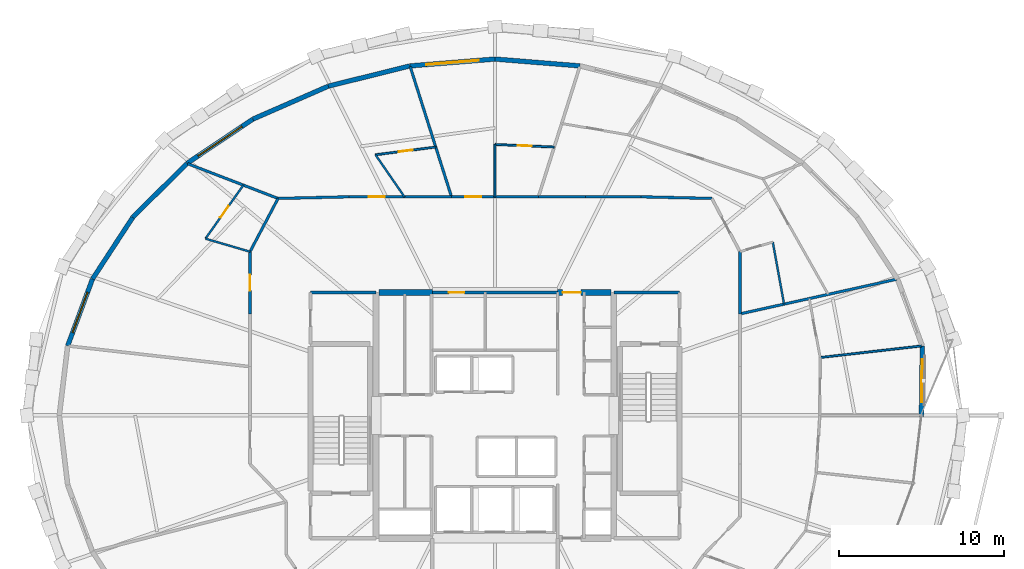
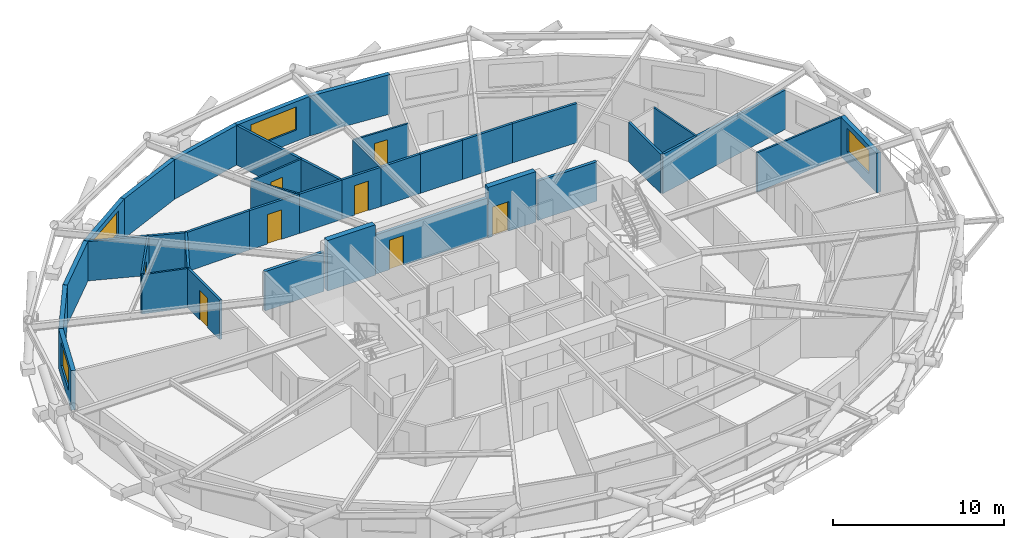
# One storey, part 18 of 22: 36 walls, 8 doors, 4 windows, 12 openings.
"""IFC4 building model written with IfcOpenShell, lengths in metres."""

import ifcopenshell
import ifcopenshell.guid

model = None  # the IFC model being written
_history = None  # IfcOwnerHistory: only IFC2X3 demands one
_inside = {}  # id of a spatial element -> (the spatial element, [elements in it])
_under = {}  # id of a project, library or spatial element -> (it, [spatial elements below it])
_declared = {}  # id of a project -> (the project, [libraries it declares])
_typed = {}  # id of a type object -> (the type object, [elements of that type])
_made_of = {}  # id of a material, layer set ... -> (it, [elements and type objects made of it])


def new_model(schema):
    """Start an empty IFC model of exactly this schema.

    Asked for "IFC4X3", IfcOpenShell would pick the latest addendum, in which some entities
    have other attributes; the version numbers below select the first issue.
    IFC2X3 requires an IfcOwnerHistory on every rooted entity: one is made here for all.
    """
    global model, _history
    if schema == "IFC4X3":
        model = ifcopenshell.file(schema_version=(4, 3, 0, 0))
    else:
        model = ifcopenshell.file(schema=schema)
    _inside.clear()
    _under.clear()
    _declared.clear()
    _typed.clear()
    _made_of.clear()
    _history = None
    if model.schema == "IFC2X3":
        org = make("IfcOrganization", Name="unknown")
        user = make(
            "IfcPersonAndOrganization",
            ThePerson=make("IfcPerson", FamilyName="unknown"),
            TheOrganization=org,
        )
        app = make(
            "IfcApplication",
            ApplicationDeveloper=org,
            Version="unknown",
            ApplicationFullName="unknown",
            ApplicationIdentifier="unknown",
        )
        _history = make(
            "IfcOwnerHistory",
            OwningUser=user,
            OwningApplication=app,
            ChangeAction="ADDED",
            CreationDate=0,
        )
    return model


def make(cls, **values):
    """One entity of the class cls with the attributes given. An attribute that is None is left unset."""
    return model.create_entity(
        cls, **{name: value for name, value in values.items() if value is not None}
    )


def rooted(cls, **values):
    """An entity with a GlobalId (a new one), such as an element, a storey or a relation."""
    return make(cls, GlobalId=ifcopenshell.guid.new(), OwnerHistory=_history, **values)


def si_unit(unit_type, name, prefix=None):
    """IfcSIUnit, for example si_unit("LENGTHUNIT", "METRE", prefix="MILLI")."""
    return make("IfcSIUnit", UnitType=unit_type, Prefix=prefix, Name=name)


def assignment(units):
    """IfcUnitAssignment: the units of a project."""
    return None if units is None else make("IfcUnitAssignment", Units=units)


def point(xyz):
    """IfcCartesianPoint."""
    return None if xyz is None else make("IfcCartesianPoint", Coordinates=xyz)


def direction(xyz):
    """IfcDirection."""
    return None if xyz is None else make("IfcDirection", DirectionRatios=xyz)


def frame(location, z_axis=None, x_axis=None):
    """IfcAxis2Placement3D, a coordinate frame: its origin and axes. An axis left out is left unset."""
    return make(
        "IfcAxis2Placement3D",
        Location=point(location),
        Axis=direction(z_axis),
        RefDirection=direction(x_axis),
    )


def frame_2d(location, x_axis=None):
    """IfcAxis2Placement2D, a coordinate frame in the plane: its origin and x axis."""
    return make(
        "IfcAxis2Placement2D", Location=point(location), RefDirection=direction(x_axis)
    )


def origin():
    """The frame at (0, 0, 0) with its axes left unset."""
    return frame((0.0, 0.0, 0.0))


def place(relative_to, where):
    """IfcLocalPlacement: puts the frame where relative to a parent placement (None: the world)."""
    return make(
        "IfcLocalPlacement", PlacementRelTo=relative_to, RelativePlacement=where
    )


def context(
    kind, dimensions, precision=None, world=None, true_north=None, identifier=None
):
    """IfcGeometricRepresentationContext, for example the 3D "Model" context."""
    return make(
        "IfcGeometricRepresentationContext",
        ContextIdentifier=identifier,
        ContextType=kind,
        CoordinateSpaceDimension=dimensions,
        Precision=precision,
        WorldCoordinateSystem=world,
        TrueNorth=true_north,
    )


def subcontext(parent, identifier, kind, view, scale=None):
    """IfcGeometricRepresentationSubContext, for example "Body" below "Model"."""
    return make(
        "IfcGeometricRepresentationSubContext",
        ContextIdentifier=identifier,
        ContextType=kind,
        ParentContext=parent,
        TargetScale=scale,
        TargetView=view,
    )


def project(units=None, contexts=None):
    """IfcProject with its units and contexts."""
    return rooted(
        "IfcProject",
        Name="project",
        RepresentationContexts=contexts,
        UnitsInContext=assignment(units),
    )


def spatial(cls, under=None, at=None, **own):
    """A site, building, storey or space (cls), placed at a placement, below another one or the project."""
    s = rooted(cls, ObjectPlacement=at, **own)
    if under is not None:
        _under.setdefault(under.id(), (under, []))[1].append(s)
    return s


def profile(cls, at=None, kind="AREA", **sizes):
    """A parametric profile (cls). Its sizes go by their IFC names, for example OverallWidth=200.0."""
    return make(cls, ProfileType=kind, Position=at, **sizes)


def rectangle(**sizes):
    """IfcRectangleProfileDef."""
    return profile("IfcRectangleProfileDef", **sizes)


def extrude(swept, where, along, depth):
    """IfcExtrudedAreaSolid: the profile swept, set in the frame where, extruded along a direction by depth."""
    return make(
        "IfcExtrudedAreaSolid",
        SweptArea=swept,
        Position=where,
        ExtrudedDirection=direction(along),
        Depth=depth,
    )


def shape(context_of_items, identifier, shape_type, items):
    """IfcShapeRepresentation: the items that make up one representation, for example the "Body"."""
    return make(
        "IfcShapeRepresentation",
        ContextOfItems=context_of_items,
        RepresentationIdentifier=identifier,
        RepresentationType=shape_type,
        Items=items,
    )


def material(Name=None, Category=None):
    """IfcMaterial."""
    return make("IfcMaterial", Name=Name, Category=Category)


def layer(
    of_material, thickness, ventilated=None, Name=None, Category=None, Priority=None
):
    """IfcMaterialLayer: one layer of a wall or slab, of a material (None: an air gap)."""
    return make(
        "IfcMaterialLayer",
        Material=of_material,
        LayerThickness=thickness,
        IsVentilated=ventilated,
        Name=Name,
        Category=Category,
        Priority=Priority,
    )


def layer_set(layers, Name=None):
    """IfcMaterialLayerSet."""
    return make("IfcMaterialLayerSet", MaterialLayers=layers, LayerSetName=Name)


def made_of(thing, what):
    """Note that an element or type object is made of a material, layer set ...; save() writes the relation."""
    if what is not None:
        _made_of.setdefault(what.id(), (what, []))[1].append(thing)
    return thing


def type_object(cls, material=None, **own):
    """A type object (cls), such as IfcWallType, which elements share."""
    return made_of(rooted(cls, **own), material)


def element(
    cls,
    number,
    at=None,
    inside=None,
    cuts=None,
    type_object=None,
    material=None,
    context=None,
    identifier="Body",
    shape_type=None,
    held_by="IfcProductDefinitionShape",
    body=None,
    shapes=None,
    **own,
):
    """One element of the class cls, such as IfcWall. Its Tag is "e" and its number.

    at: its placement. inside: the storey or other place that contains it. cuts: it is an
    opening in that element (IfcRelVoidsElement). A single representation is given by context,
    identifier, shape_type and body (its items); several are given by shapes. held_by: the class
    of the entity that holds the representations. save() writes the other relations.
    """
    e = rooted(cls, Tag="e%d" % number, ObjectPlacement=at, **own)
    if body is not None:
        shapes = [shape(context, identifier, shape_type, body)]
    if shapes is not None:
        e.Representation = make(held_by, Representations=shapes)
    if inside is not None:
        _inside.setdefault(inside.id(), (inside, []))[1].append(e)
    if cuts is not None:
        rooted(
            "IfcRelVoidsElement", RelatingBuildingElement=cuts, RelatedOpeningElement=e
        )
    if type_object is not None:
        _typed.setdefault(type_object.id(), (type_object, []))[1].append(e)
    return made_of(e, material)


def fill(opening, filler):
    """IfcRelFillsElement: the door or window that sits in an opening."""
    return rooted(
        "IfcRelFillsElement",
        RelatingOpeningElement=opening,
        RelatedBuildingElement=filler,
    )


def aggregate(whole, parts):
    """IfcRelAggregates: a whole, such as a stair, and the parts it consists of."""
    return rooted("IfcRelAggregates", RelatingObject=whole, RelatedObjects=parts)


def save(model, path):
    """Write the relations noted so far, then the file.

    IfcRelAggregates (storeys below a building ...), IfcRelContainedInSpatialStructure (elements
    in a storey), IfcRelDefinesByType, IfcRelAssociatesMaterial and IfcRelDeclares: one each for
    every whole, place, type object, material and project.
    """
    for whole, parts in _under.values():
        aggregate(whole, parts)
    for where, things in _inside.values():
        rooted(
            "IfcRelContainedInSpatialStructure",
            RelatedElements=things,
            RelatingStructure=where,
        )
    for kind, things in _typed.values():
        rooted("IfcRelDefinesByType", RelatedObjects=things, RelatingType=kind)
    for what, things in _made_of.values():
        rooted("IfcRelAssociatesMaterial", RelatedObjects=things, RelatingMaterial=what)
    for by, libraries in _declared.values():
        rooted("IfcRelDeclares", RelatingContext=by, RelatedDefinitions=libraries)
    model.write(path)


model = new_model("IFC4")

# Units and contexts
model_context = context("Model", 3, precision=1e-05, world=origin(), true_north=direction((0.0, 1.0)))
body_context = subcontext(model_context, "Body", "Model", "MODEL_VIEW")
ifc_project = project(units=[si_unit("LENGTHUNIT", "METRE"), si_unit("AREAUNIT", "SQUARE_METRE"), si_unit("VOLUMEUNIT", "CUBIC_METRE"), si_unit("PLANEANGLEUNIT", "RADIAN"), si_unit("MASSUNIT", "GRAM", prefix="KILO")], contexts=[model_context])

# Site, building, storey
site_placement = place(None, origin())
site = spatial("IfcSite", under=ifc_project, at=site_placement, CompositionType="ELEMENT")
building_placement = place(site_placement, origin())
building = spatial("IfcBuilding", under=site, at=building_placement, Name="Veldorina Hangang Commons", CompositionType="ELEMENT")
storey_placement = place(building_placement, frame((0.0, 0.0, 146.0)))
storey = spatial("IfcBuildingStorey", under=building, at=storey_placement, Name="L37", CompositionType="ELEMENT", Elevation=146.0)

# Wall
ifc_material_1 = material(Name="Concrete C60/75", Category="concrete")
ifc_layer_1 = layer(ifc_material_1, 0.360107421875)
ifc_layer_set_1 = layer_set([ifc_layer_1], Name="Concrete C60/75")
wall_type_1 = type_object("IfcWallType", Name="CW-RC360-C60", PredefinedType="SHEAR", material=ifc_layer_set_1)
wall_1_placement = place(storey_placement, frame((24.97998046875, 31.449951171875, 0.0), z_axis=(0.0, 0.0, 1.0), x_axis=(1.0, 0.0, 0.0)))
element("IfcWall", 1, at=wall_1_placement, inside=storey, type_object=wall_type_1, Name="L37 north-west core shear wall", PredefinedType="SHEAR", context=body_context, shape_type="SweptSolid", body=[
    extrude(rectangle(XDim=3.219970703125, YDim=0.360107421875, at=frame_2d((1.60986328125, 0.0))), origin(), (0.0, 0.0, 1.0), 3.60009765625),
])

# Wall, opening, door
wall_2_placement = place(storey_placement, frame((35.800048828125, 31.449951171875, 0.0), z_axis=(0.0, 0.0, 1.0), x_axis=(1.0, 0.0, 0.0)))
wall_2 = element("IfcWall", 2, at=wall_2_placement, inside=storey, type_object=wall_type_1, Name="L37 north-east core shear wall", PredefinedType="SHEAR", context=body_context, shape_type="SweptSolid", body=[
    extrude(rectangle(XDim=3.219970703125, YDim=0.360107421875, at=frame_2d((1.60986328125, 0.0))), origin(), (0.0, 0.0, 1.0), 3.60009765625),
])
opening_1_placement = place(wall_2_placement, frame((0.300048828125, 0.0, 0.0)))
opening_1 = element("IfcOpeningElement", 3, at=opening_1_placement, cuts=wall_2, Name="Opening D-08", PredefinedType="OPENING", context=body_context, shape_type="SweptSolid", body=[
    extrude(rectangle(XDim=1.10009765625, YDim=2.10009765625, at=frame_2d((0.550048828125, 1.050048828125))), frame((0.0, 0.18994140625, 0.0), z_axis=(0.0, -1.0, 0.0), x_axis=(1.0, 0.0, 0.0)), (0.0, 0.0, 1.0), 0.380126953125),
])
ifc_material_2 = material(Name="Steel Fire-Rated Smoke Seal", Category="steel")
door_type_1 = type_object("IfcDoorType", Name="DR-FIRE-1100", OperationType="SINGLE_SWING_RIGHT", PredefinedType="DOOR", material=ifc_material_2)
door_1_placement = place(opening_1_placement, origin())
door_1 = element("IfcDoor", 4, at=door_1_placement, inside=storey, type_object=door_type_1, Name="L37 central lift lobby north corridor door", OperationType="SINGLE_SWING_LEFT", OverallHeight=2.10009765625, OverallWidth=1.10009765625, PredefinedType="DOOR", context=body_context, shape_type="SweptSolid", body=[
    extrude(rectangle(XDim=1.10009765625, YDim=2.10009765625, at=frame_2d((0.550048828125, 1.050048828125))), frame((0.0, 0.02490234375, 0.0), z_axis=(0.0, -1.0, 0.0), x_axis=(1.0, 0.0, 0.0)), (0.0, 0.0, 1.0), 0.050048828125),
])
fill(opening_1, door_1)

# Wall, opening, window
ifc_material_3 = material(Name="Stone Roman Travertine", Category="masonry")
ifc_layer_2 = layer(ifc_material_3, 0.280029296875)
ifc_layer_set_2 = layer_set([ifc_layer_2], Name="Stone Roman Travertine")
wall_type_2 = type_object("IfcWallType", Name="EW-TRAV-280", PredefinedType="STANDARD", material=ifc_layer_set_2)
wall_3_placement = place(storey_placement, frame((57.849365234375, 23.907958984375, 0.0), z_axis=(0.0, 0.0, 1.0), x_axis=(0.012472806403, 0.999922211525, 0.0)))
wall_3 = element("IfcWall", 5, at=wall_3_placement, inside=storey, type_object=wall_type_2, Name="L37 travertine facade wall 00", PredefinedType="STANDARD", context=body_context, shape_type="SweptSolid", body=[
    extrude(rectangle(XDim=4.30615234375, YDim=0.280029296875, at=frame_2d((2.153076171875, 0.0))), origin(), (0.0, 0.0, 1.0), 2.820068359375),
])
opening_2_placement = place(wall_3_placement, frame((0.899169921875, 0.0, 0.800048828125)))
opening_2 = element("IfcOpeningElement", 6, at=opening_2_placement, cuts=wall_3, Name="Opening W-02", PredefinedType="OPENING", context=body_context, shape_type="SweptSolid", body=[
    extrude(rectangle(XDim=2.60009765625, YDim=1.64990234375, at=frame_2d((1.300048828125, 0.824951171875))), frame((0.0, 0.14990234375, 0.0), z_axis=(0.0, -1.0, 0.0), x_axis=(1.0, 0.0, 0.0)), (0.0, 0.0, 1.0), 0.300048828125),
])
ifc_material_4 = material(Name="Glass Low-E Triple IGU", Category="glass")
window_type_1 = type_object("IfcWindowType", Name="WIN-TWR-2600", PartitioningType="SINGLE_PANEL", PredefinedType="WINDOW", material=ifc_material_4)
window_1_placement = place(opening_2_placement, origin())
window_1 = element("IfcWindow", 7, at=window_1_placement, inside=storey, type_object=window_type_1, Name="L37 facade window 00", OverallHeight=1.64990234375, OverallWidth=2.60009765625, PartitioningType="SINGLE_PANEL", PredefinedType="WINDOW", context=body_context, shape_type="SweptSolid", body=[
    extrude(rectangle(XDim=2.60009765625, YDim=1.64990234375, at=frame_2d((1.300048828125, 0.824951171875))), frame((0.0, 0.030029296875, 0.0), z_axis=(0.0, -1.0, 0.0), x_axis=(1.0, 0.0, 0.0)), (0.0, 0.0, 1.0), 0.06005859375),
])
fill(opening_2, window_1)

# Wall
wall_4_placement = place(storey_placement, frame((37.15234375, 45.184326171875, 0.0), z_axis=(0.0, 0.0, 1.0), x_axis=(-0.996771275463, 0.080293364684, 0.0)))
element("IfcWall", 8, at=wall_4_placement, inside=storey, type_object=wall_type_2, Name="L37 travertine facade wall 07", PredefinedType="STANDARD", context=body_context, shape_type="SweptSolid", body=[
    extrude(rectangle(XDim=5.1689453125, YDim=0.280029296875, at=frame_2d((2.58447265625, 0.0))), origin(), (0.0, 0.0, 1.0), 2.820068359375),
])

# Wall, opening, window
wall_5_placement = place(storey_placement, frame((32.0, 45.599365234375, 0.0), z_axis=(0.0, 0.0, 1.0), x_axis=(-0.996771275463, -0.080293364684, 0.0)))
wall_5 = element("IfcWall", 9, at=wall_5_placement, inside=storey, type_object=wall_type_2, Name="L37 travertine facade wall 08", PredefinedType="STANDARD", context=body_context, shape_type="SweptSolid", body=[
    extrude(rectangle(XDim=5.1689453125, YDim=0.280029296875, at=frame_2d((2.58447265625, 0.0))), origin(), (0.0, 0.0, 1.0), 2.820068359375),
])
opening_3_placement = place(wall_5_placement, frame((0.984619140625, 0.0, 0.800048828125)))
opening_3 = element("IfcOpeningElement", 10, at=opening_3_placement, cuts=wall_5, Name="Opening W-01", PredefinedType="OPENING", context=body_context, shape_type="SweptSolid", body=[
    extrude(rectangle(XDim=3.199951171875, YDim=1.64990234375, at=frame_2d((1.60009765625, 0.824951171875))), frame((0.0, 0.14990234375, 0.0), z_axis=(0.0, -1.0, 0.0), x_axis=(1.0, 0.0, 0.0)), (0.0, 0.0, 1.0), 0.300048828125),
])
window_type_2 = type_object("IfcWindowType", Name="WIN-TWR-3200", PartitioningType="SINGLE_PANEL", PredefinedType="WINDOW", material=ifc_material_4)
window_2_placement = place(opening_3_placement, origin())
window_2 = element("IfcWindow", 11, at=window_2_placement, inside=storey, type_object=window_type_2, Name="L37 facade window 08", OverallHeight=1.64990234375, OverallWidth=3.199951171875, PartitioningType="SINGLE_PANEL", PredefinedType="WINDOW", context=body_context, shape_type="SweptSolid", body=[
    extrude(rectangle(XDim=3.199951171875, YDim=1.64990234375, at=frame_2d((1.60009765625, 0.824951171875))), frame((0.0, 0.030029296875, 0.0), z_axis=(0.0, -1.0, 0.0), x_axis=(1.0, 0.0, 0.0)), (0.0, 0.0, 1.0), 0.06005859375),
])
fill(opening_3, window_2)

# Walls
wall_6_placement = place(storey_placement, frame((26.84765625, 45.184326171875, 0.0), z_axis=(0.0, 0.0, 1.0), x_axis=(-0.970574196652, -0.240802260774, 0.0)))
element("IfcWall", 12, at=wall_6_placement, inside=storey, type_object=wall_type_2, Name="L37 travertine facade wall 09", PredefinedType="STANDARD", context=body_context, shape_type="SweptSolid", body=[
    extrude(rectangle(XDim=5.104736328125, YDim=0.280029296875, at=frame_2d((2.55224609375, 0.0))), origin(), (0.0, 0.0, 1.0), 2.820068359375),
])
wall_7_placement = place(storey_placement, frame((21.89306640625, 43.955078125, 0.0), z_axis=(0.0, 0.0, 1.0), x_axis=(-0.916285475586, -0.400525813438, 0.0)))
element("IfcWall", 13, at=wall_7_placement, inside=storey, type_object=wall_type_2, Name="L37 travertine facade wall 10", PredefinedType="STANDARD", context=body_context, shape_type="SweptSolid", body=[
    extrude(rectangle(XDim=4.983154296875, YDim=0.280029296875, at=frame_2d((2.49169921875, 0.0))), origin(), (0.0, 0.0, 1.0), 2.820068359375),
])

# Wall, opening, window
wall_8_placement = place(storey_placement, frame((17.3271484375, 41.959228515625, 0.0), z_axis=(0.0, 0.0, 1.0), x_axis=(-0.830308520581, -0.557304010977, 0.0)))
wall_8 = element("IfcWall", 14, at=wall_8_placement, inside=storey, type_object=wall_type_2, Name="L37 travertine facade wall 11", PredefinedType="STANDARD", context=body_context, shape_type="SweptSolid", body=[
    extrude(rectangle(XDim=4.820068359375, YDim=0.280029296875, at=frame_2d((2.41015625, 0.0))), origin(), (0.0, 0.0, 1.0), 2.820068359375),
])
opening_4_placement = place(wall_8_placement, frame((0.81005859375, 0.0, 0.800048828125)))
opening_4 = element("IfcOpeningElement", 15, at=opening_4_placement, cuts=wall_8, Name="Opening W-01", PredefinedType="OPENING", context=body_context, shape_type="SweptSolid", body=[
    extrude(rectangle(XDim=3.199951171875, YDim=1.64990234375, at=frame_2d((1.60009765625, 0.824951171875))), frame((0.0, 0.14990234375, 0.0), z_axis=(0.0, -1.0, 0.0), x_axis=(1.0, 0.0, 0.0)), (0.0, 0.0, 1.0), 0.300048828125),
])
window_3_placement = place(opening_4_placement, origin())
window_3 = element("IfcWindow", 16, at=window_3_placement, inside=storey, type_object=window_type_2, Name="L37 facade window 11", OverallHeight=1.64990234375, OverallWidth=3.199951171875, PartitioningType="SINGLE_PANEL", PredefinedType="WINDOW", context=body_context, shape_type="SweptSolid", body=[
    extrude(rectangle(XDim=3.199951171875, YDim=1.64990234375, at=frame_2d((1.60009765625, 0.824951171875))), frame((0.0, 0.030029296875, 0.0), z_axis=(0.0, -1.0, 0.0), x_axis=(1.0, 0.0, 0.0)), (0.0, 0.0, 1.0), 0.06005859375),
])
fill(opening_4, window_3)

# Walls
wall_9_placement = place(storey_placement, frame((13.324951171875, 39.27294921875, 0.0), z_axis=(0.0, 0.0, 1.0), x_axis=(-0.708343047993, -0.70586834917, 0.0)))
element("IfcWall", 17, at=wall_9_placement, inside=storey, type_object=wall_type_2, Name="L37 travertine facade wall 12", PredefinedType="STANDARD", context=body_context, shape_type="SweptSolid", body=[
    extrude(rectangle(XDim=4.63671875, YDim=0.280029296875, at=frame_2d((2.318359375, 0.0))), origin(), (0.0, 0.0, 1.0), 2.820068359375),
])
wall_10_placement = place(storey_placement, frame((10.04052734375, 36.0, 0.0), z_axis=(0.0, 0.0, 1.0), x_axis=(-0.547087162156, -0.837075645927, 0.0)))
element("IfcWall", 18, at=wall_10_placement, inside=storey, type_object=wall_type_2, Name="L37 travertine facade wall 13", PredefinedType="STANDARD", context=body_context, shape_type="SweptSolid", body=[
    extrude(rectangle(XDim=4.461181640625, YDim=0.280029296875, at=frame_2d((2.23046875, 0.0))), origin(), (0.0, 0.0, 1.0), 2.820068359375),
])

# Wall, opening, window
wall_11_placement = place(storey_placement, frame((7.599853515625, 32.265625, 0.0), z_axis=(0.0, 0.0, 1.0), x_axis=(-0.347777987911, -0.937576914778, 0.0)))
wall_11 = element("IfcWall", 19, at=wall_11_placement, inside=storey, type_object=wall_type_2, Name="L37 travertine facade wall 14", PredefinedType="STANDARD", context=body_context, shape_type="SweptSolid", body=[
    extrude(rectangle(XDim=4.321533203125, YDim=0.280029296875, at=frame_2d((2.16064453125, 0.0))), origin(), (0.0, 0.0, 1.0), 2.820068359375),
])
opening_5_placement = place(wall_11_placement, frame((0.86083984375, 0.0, 0.800048828125)))
opening_5 = element("IfcOpeningElement", 20, at=opening_5_placement, cuts=wall_11, Name="Opening W-02", PredefinedType="OPENING", context=body_context, shape_type="SweptSolid", body=[
    extrude(rectangle(XDim=2.60009765625, YDim=1.64990234375, at=frame_2d((1.300048828125, 0.824951171875))), frame((0.0, 0.14990234375, 0.0), z_axis=(0.0, -1.0, 0.0), x_axis=(1.0, 0.0, 0.0)), (0.0, 0.0, 1.0), 0.300048828125),
])
window_4_placement = place(opening_5_placement, origin())
window_4 = element("IfcWindow", 21, at=window_4_placement, inside=storey, type_object=window_type_1, Name="L37 facade window 14", OverallHeight=1.64990234375, OverallWidth=2.60009765625, PartitioningType="SINGLE_PANEL", PredefinedType="WINDOW", context=body_context, shape_type="SweptSolid", body=[
    extrude(rectangle(XDim=2.60009765625, YDim=1.64990234375, at=frame_2d((1.300048828125, 0.824951171875))), frame((0.0, 0.030029296875, 0.0), z_axis=(0.0, -1.0, 0.0), x_axis=(1.0, 0.0, 0.0)), (0.0, 0.0, 1.0), 0.06005859375),
])
fill(opening_5, window_4)

# Walls
ifc_material_5 = material(Name="Gypsum Fire-Rated Twin Stud Wall", Category="gypsum")
ifc_layer_3 = layer(ifc_material_5, 0.159912109375)
ifc_layer_set_3 = layer_set([ifc_layer_3], Name="Gypsum Fire-Rated Twin Stud Wall")
wall_type_3 = type_object("IfcWallType", Name="WL-FIRE-160", PredefinedType="SOLIDWALL", material=ifc_layer_set_3)
wall_12_placement = place(storey_placement, frame((46.85009765625, 30.151123046875, 0.0), z_axis=(0.0, 0.0, 1.0), x_axis=(0.0, 1.0, 0.0)))
element("IfcWall", 22, at=wall_12_placement, inside=storey, type_object=wall_type_3, Name="L37 U-corridor outer wall 02 052", PredefinedType="SOLIDWALL", context=body_context, shape_type="SweptSolid", body=[
    extrude(rectangle(XDim=3.771484375, YDim=0.159912109375, at=frame_2d((1.8857421875, 0.0))), origin(), (0.0, 0.0, 1.0), 2.800048828125),
])
wall_13_placement = place(storey_placement, frame((45.14990234375, 37.14990234375, 0.0), z_axis=(0.0, 0.0, 1.0), x_axis=(-0.999728709658, 0.023291781507, 0.0)))
element("IfcWall", 23, at=wall_13_placement, inside=storey, type_object=wall_type_3, Name="L37 U-corridor outer wall 04 054", PredefinedType="SOLIDWALL", context=body_context, shape_type="SweptSolid", body=[
    extrude(rectangle(XDim=4.297607421875, YDim=0.159912109375, at=frame_2d((2.14892578125, 0.0))), origin(), (0.0, 0.0, 1.0), 2.800048828125),
])
wall_14_placement = place(storey_placement, frame((40.853515625, 37.25, 0.0), z_axis=(0.0, 0.0, 1.0), x_axis=(-1.0, 0.0, 0.0)))
element("IfcWall", 24, at=wall_14_placement, inside=storey, type_object=wall_type_3, Name="L37 U-corridor outer wall 05 055", PredefinedType="SOLIDWALL", context=body_context, shape_type="SweptSolid", body=[
    extrude(rectangle(XDim=3.365234375, YDim=0.159912109375, at=frame_2d((1.6826171875, 0.0))), origin(), (0.0, 0.0, 1.0), 2.800048828125),
])
wall_15_placement = place(storey_placement, frame((37.48828125, 37.25, 0.0), z_axis=(0.0, 0.0, 1.0), x_axis=(-1.0, 0.0, 0.0)))
element("IfcWall", 25, at=wall_15_placement, inside=storey, type_object=wall_type_3, Name="L37 U-corridor outer wall 06 056", PredefinedType="SOLIDWALL", context=body_context, shape_type="SweptSolid", body=[
    extrude(rectangle(XDim=2.852783203125, YDim=0.159912109375, at=frame_2d((1.42626953125, 0.0))), origin(), (0.0, 0.0, 1.0), 2.800048828125),
])
wall_16_placement = place(storey_placement, frame((34.635498046875, 37.25, 0.0), z_axis=(0.0, 0.0, 1.0), x_axis=(-1.0, 0.0, 0.0)))
element("IfcWall", 26, at=wall_16_placement, inside=storey, type_object=wall_type_3, Name="L37 U-corridor outer wall 07 057", PredefinedType="SOLIDWALL", context=body_context, shape_type="SweptSolid", body=[
    extrude(rectangle(XDim=2.635498046875, YDim=0.159912109375, at=frame_2d((1.31787109375, 0.0))), origin(), (0.0, 0.0, 1.0), 2.800048828125),
])

# Wall, opening, door
wall_17_placement = place(storey_placement, frame((32.0, 37.25, 0.0), z_axis=(0.0, 0.0, 1.0), x_axis=(-1.0, 0.0, 0.0)))
wall_17 = element("IfcWall", 27, at=wall_17_placement, inside=storey, type_object=wall_type_3, Name="L37 U-corridor outer wall 08 058", PredefinedType="SOLIDWALL", context=body_context, shape_type="SweptSolid", body=[
    extrude(rectangle(XDim=2.635498046875, YDim=0.159912109375, at=frame_2d((1.31787109375, 0.0))), origin(), (0.0, 0.0, 1.0), 2.800048828125),
])
opening_6_placement = place(wall_17_placement, frame((0.8427734375, 0.0, 0.0)))
opening_6 = element("IfcOpeningElement", 28, at=opening_6_placement, cuts=wall_17, Name="Opening D-03", PredefinedType="OPENING", context=body_context, shape_type="SweptSolid", body=[
    extrude(rectangle(XDim=0.949951171875, YDim=2.10009765625, at=frame_2d((0.47509765625, 1.050048828125))), frame((0.0, 0.08984375, 0.0), z_axis=(0.0, -1.0, 0.0), x_axis=(1.0, 0.0, 0.0)), (0.0, 0.0, 1.0), 0.179931640625),
])
ifc_material_6 = material(Name="Timber Fire-Rated Entrance Core", Category="wood")
door_type_2 = type_object("IfcDoorType", Name="DR-UNIT-950", OperationType="SINGLE_SWING_RIGHT", PredefinedType="DOOR", material=ifc_material_6)
door_2_placement = place(opening_6_placement, origin())
door_2 = element("IfcDoor", 29, at=door_2_placement, inside=storey, type_object=door_type_2, Name="L37 Studio 4 entrance door 038", OperationType="SINGLE_SWING_RIGHT", OverallHeight=2.10009765625, OverallWidth=0.949951171875, PredefinedType="DOOR", context=body_context, shape_type="SweptSolid", body=[
    extrude(rectangle(XDim=0.949951171875, YDim=2.10009765625, at=frame_2d((0.47509765625, 1.050048828125))), frame((0.0, 0.02490234375, 0.0), z_axis=(0.0, -1.0, 0.0), x_axis=(1.0, 0.0, 0.0)), (0.0, 0.0, 1.0), 0.050048828125),
])
fill(opening_6, door_2)

# Wall
wall_18_placement = place(storey_placement, frame((29.364501953125, 37.25, 0.0), z_axis=(0.0, 0.0, 1.0), x_axis=(-1.0, 0.0, 0.0)))
element("IfcWall", 30, at=wall_18_placement, inside=storey, type_object=wall_type_3, Name="L37 U-corridor outer wall 09 059", PredefinedType="SOLIDWALL", context=body_context, shape_type="SweptSolid", body=[
    extrude(rectangle(XDim=2.852783203125, YDim=0.159912109375, at=frame_2d((1.42626953125, 0.0))), origin(), (0.0, 0.0, 1.0), 2.800048828125),
])

# Wall, opening, door
wall_19_placement = place(storey_placement, frame((26.51171875, 37.25, 0.0), z_axis=(0.0, 0.0, 1.0), x_axis=(-1.0, 0.0, 0.0)))
wall_19 = element("IfcWall", 31, at=wall_19_placement, inside=storey, type_object=wall_type_3, Name="L37 U-corridor outer wall 10 060", PredefinedType="SOLIDWALL", context=body_context, shape_type="SweptSolid", body=[
    extrude(rectangle(XDim=3.365234375, YDim=0.159912109375, at=frame_2d((1.6826171875, 0.0))), origin(), (0.0, 0.0, 1.0), 2.800048828125),
])
opening_7_placement = place(wall_19_placement, frame((1.20751953125, 0.0, 0.0)))
opening_7 = element("IfcOpeningElement", 32, at=opening_7_placement, cuts=wall_19, Name="Opening D-03", PredefinedType="OPENING", context=body_context, shape_type="SweptSolid", body=[
    extrude(rectangle(XDim=0.949951171875, YDim=2.10009765625, at=frame_2d((0.47509765625, 1.050048828125))), frame((0.0, 0.08984375, 0.0), z_axis=(0.0, -1.0, 0.0), x_axis=(1.0, 0.0, 0.0)), (0.0, 0.0, 1.0), 0.179931640625),
])
door_3_placement = place(opening_7_placement, origin())
door_3 = element("IfcDoor", 33, at=door_3_placement, inside=storey, type_object=door_type_2, Name="L37 Studio 5 entrance door 040", OperationType="SINGLE_SWING_RIGHT", OverallHeight=2.10009765625, OverallWidth=0.949951171875, PredefinedType="DOOR", context=body_context, shape_type="SweptSolid", body=[
    extrude(rectangle(XDim=0.949951171875, YDim=2.10009765625, at=frame_2d((0.47509765625, 1.050048828125))), frame((0.0, 0.02490234375, 0.0), z_axis=(0.0, -1.0, 0.0), x_axis=(1.0, 0.0, 0.0)), (0.0, 0.0, 1.0), 0.050048828125),
])
fill(opening_7, door_3)

# Walls
wall_20_placement = place(storey_placement, frame((23.146484375, 37.25, 0.0), z_axis=(0.0, 0.0, 1.0), x_axis=(-0.999728709658, -0.023291781507, 0.0)))
element("IfcWall", 34, at=wall_20_placement, inside=storey, type_object=wall_type_3, Name="L37 U-corridor outer wall 11 061", PredefinedType="SOLIDWALL", context=body_context, shape_type="SweptSolid", body=[
    extrude(rectangle(XDim=4.297607421875, YDim=0.159912109375, at=frame_2d((2.14892578125, 0.0))), origin(), (0.0, 0.0, 1.0), 2.800048828125),
])
wall_21_placement = place(storey_placement, frame((18.85009765625, 37.14990234375, 0.0), z_axis=(0.0, 0.0, 1.0), x_axis=(-0.466093963429, -0.884735224378, 0.0)))
element("IfcWall", 35, at=wall_21_placement, inside=storey, type_object=wall_type_3, Name="L37 U-corridor outer wall 12 062", PredefinedType="SOLIDWALL", context=body_context, shape_type="SweptSolid", body=[
    extrude(rectangle(XDim=3.647705078125, YDim=0.159912109375, at=frame_2d((1.82373046875, 0.0))), origin(), (0.0, 0.0, 1.0), 2.800048828125),
])

# Wall, opening, door
wall_22_placement = place(storey_placement, frame((17.14990234375, 33.922607421875, 0.0), z_axis=(0.0, 0.0, 1.0), x_axis=(0.0, -1.0, 0.0)))
wall_22 = element("IfcWall", 36, at=wall_22_placement, inside=storey, type_object=wall_type_3, Name="L37 U-corridor outer wall 13 063", PredefinedType="SOLIDWALL", context=body_context, shape_type="SweptSolid", body=[
    extrude(rectangle(XDim=3.771484375, YDim=0.159912109375, at=frame_2d((1.8857421875, 0.0))), origin(), (0.0, 0.0, 1.0), 2.800048828125),
])
opening_8_placement = place(wall_22_placement, frame((1.41064453125, 0.0, 0.0)))
opening_8 = element("IfcOpeningElement", 37, at=opening_8_placement, cuts=wall_22, Name="Opening D-03", PredefinedType="OPENING", context=body_context, shape_type="SweptSolid", body=[
    extrude(rectangle(XDim=0.949951171875, YDim=2.10009765625, at=frame_2d((0.47509765625, 1.050048828125))), frame((0.0, 0.08984375, 0.0), z_axis=(0.0, -1.0, 0.0), x_axis=(1.0, 0.0, 0.0)), (0.0, 0.0, 1.0), 0.179931640625),
])
door_4_placement = place(opening_8_placement, origin())
door_4 = element("IfcDoor", 38, at=door_4_placement, inside=storey, type_object=door_type_2, Name="L37 Studio 6 entrance door 042", OperationType="SINGLE_SWING_RIGHT", OverallHeight=2.10009765625, OverallWidth=0.949951171875, PredefinedType="DOOR", context=body_context, shape_type="SweptSolid", body=[
    extrude(rectangle(XDim=0.949951171875, YDim=2.10009765625, at=frame_2d((0.47509765625, 1.050048828125))), frame((0.0, 0.02490234375, 0.0), z_axis=(0.0, -1.0, 0.0), x_axis=(1.0, 0.0, 0.0)), (0.0, 0.0, 1.0), 0.050048828125),
])
fill(opening_8, door_4)

# Walls
wall_23_placement = place(storey_placement, frame((46.85009765625, 30.151123046875, 0.0), z_axis=(0.0, 0.0, 1.0), x_axis=(0.976352651254, 0.216183950352, 0.0)))
element("IfcWall", 39, at=wall_23_placement, inside=storey, type_object=wall_type_3, Name="L37 Unit party wall 02 100", PredefinedType="SOLIDWALL", context=body_context, shape_type="SweptSolid", body=[
    extrude(rectangle(XDim=9.7314453125, YDim=0.159912109375, at=frame_2d((4.86572265625, 0.0))), origin(), (0.0, 0.0, 1.0), 2.800048828125),
])
wall_24_placement = place(storey_placement, frame((29.364501953125, 37.25, 0.0), z_axis=(0.0, 0.0, 1.0), x_axis=(-0.302358297893, 0.953194345186, 0.0)))
element("IfcWall", 40, at=wall_24_placement, inside=storey, type_object=wall_type_3, Name="L37 Unit party wall 09 111", PredefinedType="SOLIDWALL", context=body_context, shape_type="SweptSolid", body=[
    extrude(rectangle(XDim=8.27392578125, YDim=0.159912109375, at=frame_2d((4.136962890625, 0.0))), origin(), (0.0, 0.0, 1.0), 2.800048828125),
])
wall_25_placement = place(storey_placement, frame((18.85009765625, 37.14990234375, 0.0), z_axis=(0.0, 0.0, 1.0), x_axis=(-0.933453846584, 0.358697527589, 0.0)))
element("IfcWall", 41, at=wall_25_placement, inside=storey, type_object=wall_type_3, Name="L37 Unit party wall 12 114", PredefinedType="SOLIDWALL", context=body_context, shape_type="SweptSolid", body=[
    extrude(rectangle(XDim=5.869140625, YDim=0.159912109375, at=frame_2d((2.9345703125, 0.0))), origin(), (0.0, 0.0, 1.0), 2.800048828125),
])
ifc_material_7 = material(Name="Concrete Blockwork Fire Wall C30/37", Category="masonry")
ifc_layer_4 = layer(ifc_material_7, 0.199951171875)
ifc_layer_set_4 = layer_set([ifc_layer_4], Name="Concrete Blockwork Fire Wall C30/37")
wall_type_4 = type_object("IfcWallType", Name="WL-FIRE-200", PredefinedType="SOLIDWALL", material=ifc_layer_set_4)
for number, where, z_axis, x_axis, name in (
    (42, (39.199951171875, 31.449951171875, 0.0), (0.0, 0.0, 1.0), (1.0, 0.0, 0.0), "L37 East vestibule north wall 004"),
    (43, (20.820068359375, 31.449951171875, 0.0), (0.0, 0.0, 1.0), (1.0, 0.0, 0.0), "L37 NW core room north wall 006"),
):
    element("IfcWall", number, at=place(storey_placement, frame(where, z_axis=z_axis, x_axis=x_axis)), inside=storey, type_object=wall_type_4, Name=name, PredefinedType="SOLIDWALL", context=body_context, shape_type="SweptSolid", body=[
        extrude(rectangle(XDim=3.97998046875, YDim=0.199951171875, at=frame_2d((1.989990234375, 0.0))), origin(), (0.0, 0.0, 1.0), 2.800048828125),
    ])

# Wall, opening, door
wall_26_placement = place(storey_placement, frame((28.199951171875, 31.449951171875, 0.0), z_axis=(0.0, 0.0, 1.0), x_axis=(1.0, 0.0, 0.0)))
wall_26 = element("IfcWall", 44, at=wall_26_placement, inside=storey, type_object=wall_type_4, Name="L37 Merged north core wall 031", PredefinedType="SOLIDWALL", context=body_context, shape_type="SweptSolid", body=[
    extrude(rectangle(XDim=7.60009765625, YDim=0.199951171875, at=frame_2d((3.800048828125, 0.0))), origin(), (0.0, 0.0, 1.0), 2.800048828125),
])
opening_9_placement = place(wall_26_placement, frame((1.0, 0.0, 0.0)))
opening_9 = element("IfcOpeningElement", 45, at=opening_9_placement, cuts=wall_26, Name="Opening D-02", PredefinedType="OPENING", context=body_context, shape_type="SweptSolid", body=[
    extrude(rectangle(XDim=0.949951171875, YDim=2.10009765625, at=frame_2d((0.47509765625, 1.050048828125))), frame((0.0, 0.10986328125, 0.0), z_axis=(0.0, -1.0, 0.0), x_axis=(1.0, 0.0, 0.0)), (0.0, 0.0, 1.0), 0.219970703125),
])
ifc_material_8 = material(Name="Timber Solid Core Acoustic", Category="wood")
door_type_3 = type_object("IfcDoorType", Name="DR-INT-950", OperationType="SINGLE_SWING_LEFT", PredefinedType="DOOR", material=ifc_material_8)
door_5_placement = place(opening_9_placement, origin())
door_5 = element("IfcDoor", 46, at=door_5_placement, inside=storey, type_object=door_type_3, Name="L37 Core study alcove door 011", OperationType="SINGLE_SWING_LEFT", OverallHeight=2.10009765625, OverallWidth=0.949951171875, PredefinedType="DOOR", context=body_context, shape_type="SweptSolid", body=[
    extrude(rectangle(XDim=0.949951171875, YDim=2.10009765625, at=frame_2d((0.47509765625, 1.050048828125))), frame((0.0, 0.02490234375, 0.0), z_axis=(0.0, -1.0, 0.0), x_axis=(1.0, 0.0, 0.0)), (0.0, 0.0, 1.0), 0.050048828125),
])
fill(opening_9, door_5)

# Walls
ifc_material_9 = material(Name="Gypsum Acoustic Stud Partition", Category="gypsum")
ifc_layer_5 = layer(ifc_material_9, 0.1201171875)
ifc_layer_set_5 = layer_set([ifc_layer_5], Name="Gypsum Acoustic Stud Partition")
wall_type_5 = type_object("IfcWallType", Name="WL-PART-120", PredefinedType="PARTITIONING", material=ifc_layer_set_5)
wall_27_placement = place(storey_placement, frame((51.71337890625, 27.50830078125, 0.0), z_axis=(0.0, 0.0, 1.0), x_axis=(0.993569040849, 0.113227916461, 0.0)))
element("IfcWall", 47, at=wall_27_placement, inside=storey, type_object=wall_type_5, Name="L37 Cluster 2 bed divider 5 099", PredefinedType="PARTITIONING", context=body_context, shape_type="SweptSolid", body=[
    extrude(rectangle(XDim=6.1796875, YDim=0.1201171875, at=frame_2d((3.08984375, 0.0))), origin(), (0.0, 0.0, 1.0), 2.800048828125),
])
wall_28_placement = place(storey_placement, frame((49.52392578125, 30.7431640625, 0.0), z_axis=(0.0, 0.0, 1.0), x_axis=(-0.178705579988, 0.98390259461, 0.0)))
element("IfcWall", 48, at=wall_28_placement, inside=storey, type_object=wall_type_5, Name="L37 Cluster 3 bath front wall 101", PredefinedType="PARTITIONING", context=body_context, shape_type="SweptSolid", body=[
    extrude(rectangle(XDim=3.822509765625, YDim=0.1201171875, at=frame_2d((1.9111328125, 0.0))), origin(), (0.0, 0.0, 1.0), 2.800048828125),
])

# Wall, opening, door
wall_29_placement = place(storey_placement, frame((35.592041015625, 40.264892578125, 0.0), z_axis=(0.0, 0.0, 1.0), x_axis=(-0.999037490114, 0.043864488453, 0.0)))
wall_29 = element("IfcWall", 49, at=wall_29_placement, inside=storey, type_object=wall_type_5, Name="L37 Studio 4 bath front wall 109", PredefinedType="PARTITIONING", context=body_context, shape_type="SweptSolid", body=[
    extrude(rectangle(XDim=3.595458984375, YDim=0.1201171875, at=frame_2d((1.7978515625, 0.0))), origin(), (0.0, 0.0, 1.0), 2.800048828125),
])
opening_10_placement = place(wall_29_placement, frame((1.367919921875, 0.0, 0.0)))
opening_10 = element("IfcOpeningElement", 50, at=opening_10_placement, cuts=wall_29, Name="Opening D-01", PredefinedType="OPENING", context=body_context, shape_type="SweptSolid", body=[
    extrude(rectangle(XDim=0.860107421875, YDim=2.10009765625, at=frame_2d((0.43017578125, 1.050048828125))), frame((0.0, 0.070068359375, 0.0), z_axis=(0.0, -1.0, 0.0), x_axis=(1.0, 0.0, 0.0)), (0.0, 0.0, 1.0), 0.14013671875),
])
ifc_material_10 = material(Name="Timber Moisture-Resistant Core", Category="wood")
door_type_4 = type_object("IfcDoorType", Name="DR-WET-860", OperationType="SINGLE_SWING_LEFT", PredefinedType="DOOR", material=ifc_material_10)
door_6_placement = place(opening_10_placement, origin())
door_6 = element("IfcDoor", 51, at=door_6_placement, inside=storey, type_object=door_type_4, Name="L37 Studio 4 bathroom door 037", OperationType="SINGLE_SWING_LEFT", OverallHeight=2.10009765625, OverallWidth=0.860107421875, PredefinedType="DOOR", context=body_context, shape_type="SweptSolid", body=[
    extrude(rectangle(XDim=0.860107421875, YDim=2.10009765625, at=frame_2d((0.43017578125, 1.050048828125))), frame((0.0, 0.02490234375, 0.0), z_axis=(0.0, -1.0, 0.0), x_axis=(1.0, 0.0, 0.0)), (0.0, 0.0, 1.0), 0.050048828125),
])
fill(opening_10, door_6)

# Wall
wall_30_placement = place(storey_placement, frame((32.0, 37.25, 0.0), z_axis=(0.0, 0.0, 1.0), x_axis=(0.0, 1.0, 0.0)))
element("IfcWall", 52, at=wall_30_placement, inside=storey, type_object=wall_type_5, Name="L37 Studio 4 bath side wall 110", PredefinedType="PARTITIONING", context=body_context, shape_type="SweptSolid", body=[
    extrude(rectangle(XDim=3.172607421875, YDim=0.1201171875, at=frame_2d((1.58642578125, 0.0))), origin(), (0.0, 0.0, 1.0), 2.800048828125),
])

# Wall, opening, door
wall_31_placement = place(storey_placement, frame((28.407958984375, 40.264892578125, 0.0), z_axis=(0.0, 0.0, 1.0), x_axis=(-0.991927075006, -0.126809612691, 0.0)))
wall_31 = element("IfcWall", 53, at=wall_31_placement, inside=storey, type_object=wall_type_5, Name="L37 Studio 5 bath front wall 112", PredefinedType="PARTITIONING", context=body_context, shape_type="SweptSolid", body=[
    extrude(rectangle(XDim=3.68115234375, YDim=0.1201171875, at=frame_2d((1.840576171875, 0.0))), origin(), (0.0, 0.0, 1.0), 2.800048828125),
])
opening_11_placement = place(wall_31_placement, frame((1.410400390625, 0.0, 0.0)))
opening_11 = element("IfcOpeningElement", 54, at=opening_11_placement, cuts=wall_31, Name="Opening D-01", PredefinedType="OPENING", context=body_context, shape_type="SweptSolid", body=[
    extrude(rectangle(XDim=0.860107421875, YDim=2.10009765625, at=frame_2d((0.43017578125, 1.050048828125))), frame((0.0, 0.070068359375, 0.0), z_axis=(0.0, -1.0, 0.0), x_axis=(1.0, 0.0, 0.0)), (0.0, 0.0, 1.0), 0.14013671875),
])
door_7_placement = place(opening_11_placement, origin())
door_7 = element("IfcDoor", 55, at=door_7_placement, inside=storey, type_object=door_type_4, Name="L37 Studio 5 bathroom door 039", OperationType="SINGLE_SWING_LEFT", OverallHeight=2.10009765625, OverallWidth=0.860107421875, PredefinedType="DOOR", context=body_context, shape_type="SweptSolid", body=[
    extrude(rectangle(XDim=0.860107421875, YDim=2.10009765625, at=frame_2d((0.43017578125, 1.050048828125))), frame((0.0, 0.02490234375, 0.0), z_axis=(0.0, -1.0, 0.0), x_axis=(1.0, 0.0, 0.0)), (0.0, 0.0, 1.0), 0.050048828125),
])
fill(opening_11, door_7)

# Wall
wall_32_placement = place(storey_placement, frame((26.51171875, 37.25, 0.0), z_axis=(0.0, 0.0, 1.0), x_axis=(-0.567255291352, 0.823542005263, 0.0)))
element("IfcWall", 56, at=wall_32_placement, inside=storey, type_object=wall_type_5, Name="L37 Studio 5 bath side wall 113", PredefinedType="PARTITIONING", context=body_context, shape_type="SweptSolid", body=[
    extrude(rectangle(XDim=3.093994140625, YDim=0.1201171875, at=frame_2d((1.546875, 0.0))), origin(), (0.0, 0.0, 1.0), 2.800048828125),
])

# Wall, opening, door
wall_33_placement = place(storey_placement, frame((16.75048828125, 37.956787109375, 0.0), z_axis=(0.0, 0.0, 1.0), x_axis=(-0.57861140021, -0.81560336411, 0.0)))
wall_33 = element("IfcWall", 57, at=wall_33_placement, inside=storey, type_object=wall_type_5, Name="L37 Studio 6 bath front wall 115", PredefinedType="PARTITIONING", context=body_context, shape_type="SweptSolid", body=[
    extrude(rectangle(XDim=3.978515625, YDim=0.1201171875, at=frame_2d((1.9892578125, 0.0))), origin(), (0.0, 0.0, 1.0), 2.800048828125),
])
opening_12_placement = place(wall_33_placement, frame((1.559326171875, 0.0, 0.0)))
opening_12 = element("IfcOpeningElement", 58, at=opening_12_placement, cuts=wall_33, Name="Opening D-01", PredefinedType="OPENING", context=body_context, shape_type="SweptSolid", body=[
    extrude(rectangle(XDim=0.860107421875, YDim=2.10009765625, at=frame_2d((0.43017578125, 1.050048828125))), frame((0.0, 0.070068359375, 0.0), z_axis=(0.0, -1.0, 0.0), x_axis=(1.0, 0.0, 0.0)), (0.0, 0.0, 1.0), 0.14013671875),
])
door_8_placement = place(opening_12_placement, origin())
door_8 = element("IfcDoor", 59, at=door_8_placement, inside=storey, type_object=door_type_4, Name="L37 Studio 6 bathroom door 041", OperationType="SINGLE_SWING_LEFT", OverallHeight=2.10009765625, OverallWidth=0.860107421875, PredefinedType="DOOR", context=body_context, shape_type="SweptSolid", body=[
    extrude(rectangle(XDim=0.860107421875, YDim=2.10009765625, at=frame_2d((0.43017578125, 1.050048828125))), frame((0.0, 0.02490234375, 0.0), z_axis=(0.0, -1.0, 0.0), x_axis=(1.0, 0.0, 0.0)), (0.0, 0.0, 1.0), 0.050048828125),
])
fill(opening_12, door_8)

# Wall
wall_34_placement = place(storey_placement, frame((17.14990234375, 33.922607421875, 0.0), z_axis=(0.0, 0.0, 1.0), x_axis=(-0.959866785373, 0.280456332319, 0.0)))
element("IfcWall", 60, at=wall_34_placement, inside=storey, type_object=wall_type_5, Name="L37 Studio 6 bath side wall 116", PredefinedType="PARTITIONING", context=body_context, shape_type="SweptSolid", body=[
    extrude(rectangle(XDim=2.814453125, YDim=0.1201171875, at=frame_2d((1.4072265625, 0.0))), origin(), (0.0, 0.0, 1.0), 2.800048828125),
])

save(model, "model.ifc")
